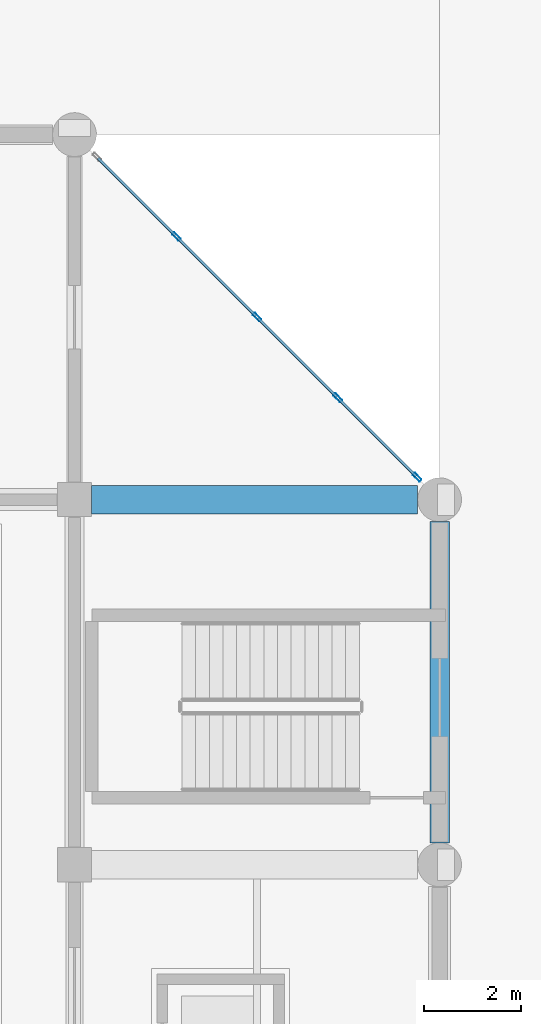
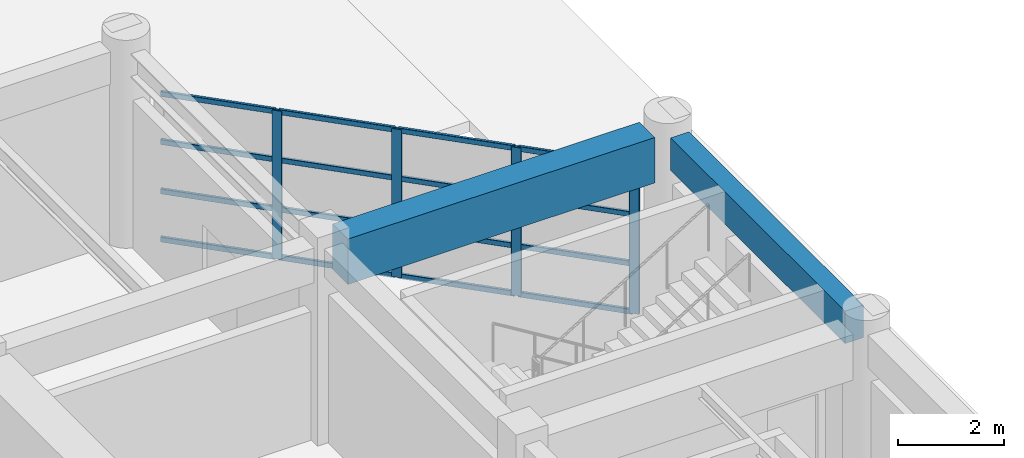
# One storey, part 59 of 122: 20 members, 2 beams, 1 element without a shape of its own.
"""IFC4 building model written with IfcOpenShell, lengths in metres."""

from ifc_helpers import new_model, si_unit, direction, frame, origin, origin_2d, place, context, subcontext, project, spatial, rectangle, hollow_rectangle, extrude, material, material_profile, profile_set, type_object, element, aggregate, save


model = new_model("IFC4")

# Units and contexts
model_context = context("Model", 3, precision=1e-05, world=origin(), true_north=direction((0.0, 1.0)))
body_context = subcontext(model_context, "Body", "Model", "MODEL_VIEW")
ifc_project = project(units=[si_unit("LENGTHUNIT", "METRE"), si_unit("AREAUNIT", "SQUARE_METRE"), si_unit("VOLUMEUNIT", "CUBIC_METRE"), si_unit("PLANEANGLEUNIT", "RADIAN"), si_unit("MASSUNIT", "GRAM", prefix="KILO")], contexts=[model_context])

# Site, building, storey
site_placement = place(None, origin())
site = spatial("IfcSite", under=ifc_project, at=site_placement, CompositionType="ELEMENT")
building_placement = place(site_placement, origin())
building = spatial("IfcBuilding", under=site, at=building_placement, Name="Qasida Concert Hall", CompositionType="ELEMENT")
storey_placement = place(building_placement, origin())
storey = spatial("IfcBuildingStorey", under=building, at=storey_placement, Name="L00", CompositionType="ELEMENT", Elevation=0.0)

# Beams
ifc_material_1 = material(Name="Concrete C50/60", Category="concrete")
ifc_material_profile_1 = material_profile(ifc_material_1, rectangle(XDim=0.580078125, YDim=1.050048828125, at=origin_2d()), Name="RC 580x1050")
ifc_profile_set_1 = profile_set([ifc_material_profile_1], Name="Concrete C50/60")
beam_type_1 = type_object("IfcBeamType", Name="BM-G8", PredefinedType="USERDEFINED", material=ifc_profile_set_1)
beam_1_placement = place(storey_placement, frame((157.85009765625, 22.5, 3.97509765625), z_axis=(1.0, 0.0, 0.0), x_axis=(0.0, 1.0, 0.0)))
element("IfcBeam", 1, at=beam_1_placement, inside=storey, type_object=beam_type_1, Name="Primary girder 0478", ObjectType="GIRDER", PredefinedType="USERDEFINED", context=body_context, shape_type="SweptSolid", body=[
    extrude(rectangle(XDim=0.580078125, YDim=1.050048828125, at=origin_2d()), origin(), (0.0, 0.0, 1.0), 6.699951171875),
])
ifc_material_2 = material(Name="Concrete C40/50", Category="concrete")
ifc_material_profile_2 = material_profile(ifc_material_2, rectangle(XDim=0.39990234375, YDim=0.75, at=origin_2d()), Name="RC 400x750")
ifc_profile_set_2 = profile_set([ifc_material_profile_2], Name="Concrete C40/50")
beam_type_2 = type_object("IfcBeamType", Name="BM-SP1", PredefinedType="SPANDREL", material=ifc_profile_set_2)
beam_2_placement = place(storey_placement, frame((165.0, 15.449951171875, 4.125), z_axis=(0.0, 1.0, 0.0), x_axis=(-1.0, 0.0, 0.0)))
element("IfcBeam", 2, at=beam_2_placement, inside=storey, type_object=beam_type_2, Name="L00 girder 0499", PredefinedType="SPANDREL", context=body_context, shape_type="SweptSolid", body=[
    extrude(rectangle(XDim=0.39990234375, YDim=0.75, at=origin_2d()), origin(), (0.0, 0.0, 1.0), 6.60009765625),
])

# Curtain wall, members
ifc_material_3 = material(Name="Architectural bronze-anodized aluminium and low-E glass", Category="aluminium")
curtain_wall_type = type_object("IfcCurtainWallType", Name="CW-07", PredefinedType="NOTDEFINED", material=ifc_material_3)
curtain_wall_placement = place(storey_placement, origin())
curtain_wall = element("IfcCurtainWall", 3, at=curtain_wall_placement, inside=storey, type_object=curtain_wall_type, Name="L00 curtain wall CW-07 0140", PredefinedType="NOTDEFINED")
ifc_material_4 = material(Name="Architectural bronze-anodized aluminium EN AW-6063", Category="aluminium")
ifc_material_profile_3 = material_profile(ifc_material_4, hollow_rectangle(XDim=0.06494140625, YDim=0.199951171875, WallThickness=0.0048828125, InnerFilletRadius=0.0048828125, OuterFilletRadius=0.010009765625, at=origin_2d()), Name="CWM 200x65x5")
ifc_profile_set_3 = profile_set([ifc_material_profile_3], Name="Architectural bronze-anodized aluminium EN AW-6063")
member_type_1 = type_object("IfcMemberType", Name="MB-CWM-2", PredefinedType="MULLION", material=ifc_profile_set_3)
member_1_placement = place(storey_placement, frame((164.53857421875, 22.96142578125, 0.0), z_axis=(0.0, 0.0, 1.0), x_axis=(-0.707106781187, -0.707106781187, 0.0)))
member_1 = element("IfcMember", 4, at=member_1_placement, type_object=member_type_1, Name="CW-07 mullion 1", PredefinedType="MULLION", context=body_context, shape_type="SweptSolid", body=[
    extrude(hollow_rectangle(XDim=0.06494140625, YDim=0.199951171875, WallThickness=0.0048828125, InnerFilletRadius=0.0048828125, OuterFilletRadius=0.010009765625, at=origin_2d()), origin(), (0.0, 0.0, 1.0), 3.419921875),
])
member_2_placement = place(storey_placement, frame((162.90576171875, 24.59423828125, 0.0), z_axis=(0.0, 0.0, 1.0), x_axis=(-0.707106781187, -0.707106781187, 0.0)))
member_2 = element("IfcMember", 5, at=member_2_placement, type_object=member_type_1, Name="CW-07 mullion 2", PredefinedType="MULLION", context=body_context, shape_type="SweptSolid", body=[
    extrude(hollow_rectangle(XDim=0.06494140625, YDim=0.199951171875, WallThickness=0.0048828125, InnerFilletRadius=0.0048828125, OuterFilletRadius=0.010009765625, at=origin_2d()), origin(), (0.0, 0.0, 1.0), 3.419921875),
])
member_3_placement = place(storey_placement, frame((161.25, 26.25, 0.0), z_axis=(0.0, 0.0, 1.0), x_axis=(-0.707106781187, -0.707106781187, 0.0)))
member_3 = element("IfcMember", 6, at=member_3_placement, type_object=member_type_1, Name="CW-07 mullion 3", PredefinedType="MULLION", context=body_context, shape_type="SweptSolid", body=[
    extrude(hollow_rectangle(XDim=0.06494140625, YDim=0.199951171875, WallThickness=0.0048828125, InnerFilletRadius=0.0048828125, OuterFilletRadius=0.010009765625, at=origin_2d()), origin(), (0.0, 0.0, 1.0), 3.419921875),
])
member_4_placement = place(storey_placement, frame((159.59423828125, 27.90576171875, 0.0), z_axis=(0.0, 0.0, 1.0), x_axis=(-0.707106781187, -0.707106781187, 0.0)))
member_4 = element("IfcMember", 7, at=member_4_placement, type_object=member_type_1, Name="CW-07 mullion 4", PredefinedType="MULLION", context=body_context, shape_type="SweptSolid", body=[
    extrude(hollow_rectangle(XDim=0.06494140625, YDim=0.199951171875, WallThickness=0.0048828125, InnerFilletRadius=0.0048828125, OuterFilletRadius=0.010009765625, at=origin_2d()), origin(), (0.0, 0.0, 1.0), 3.419921875),
])
ifc_material_profile_4 = material_profile(ifc_material_4, hollow_rectangle(XDim=0.06005859375, YDim=0.1201171875, WallThickness=0.00390625, InnerFilletRadius=0.00390625, OuterFilletRadius=0.008056640625, at=origin_2d()), Name="CWT 120x60x4")
ifc_profile_set_4 = profile_set([ifc_material_profile_4], Name="Architectural bronze-anodized aluminium EN AW-6063")
member_type_2 = type_object("IfcMemberType", Name="MB-CWT-2", PredefinedType="USERDEFINED", material=ifc_profile_set_4)
member_5_placement = place(storey_placement, frame((164.515625, 22.984375, 0.030029296875), z_axis=(-0.707106781187, 0.707106781187, 0.0), x_axis=(-0.707106781187, -0.707106781187, 0.0)))
member_5 = element("IfcMember", 8, at=member_5_placement, type_object=member_type_2, Name="CW-07 transom 1.1", ObjectType="TRANSOM", PredefinedType="USERDEFINED", context=body_context, shape_type="SweptSolid", body=[
    extrude(hollow_rectangle(XDim=0.06005859375, YDim=0.1201171875, WallThickness=0.00390625, InnerFilletRadius=0.00390625, OuterFilletRadius=0.008056640625, at=origin_2d()), origin(), (0.0, 0.0, 1.0), 2.244140625),
])
member_6_placement = place(storey_placement, frame((164.515625, 22.984375, 1.139892578125), z_axis=(-0.707106781187, 0.707106781187, 0.0), x_axis=(-0.707106781187, -0.707106781187, 0.0)))
member_6 = element("IfcMember", 9, at=member_6_placement, type_object=member_type_2, Name="CW-07 transom 1.2", ObjectType="TRANSOM", PredefinedType="USERDEFINED", context=body_context, shape_type="SweptSolid", body=[
    extrude(hollow_rectangle(XDim=0.06005859375, YDim=0.1201171875, WallThickness=0.00390625, InnerFilletRadius=0.00390625, OuterFilletRadius=0.008056640625, at=origin_2d()), origin(), (0.0, 0.0, 1.0), 2.244140625),
])
member_7_placement = place(storey_placement, frame((164.515625, 22.984375, 2.280029296875), z_axis=(-0.707106781187, 0.707106781187, 0.0), x_axis=(-0.707106781187, -0.707106781187, 0.0)))
member_7 = element("IfcMember", 10, at=member_7_placement, type_object=member_type_2, Name="CW-07 transom 1.3", ObjectType="TRANSOM", PredefinedType="USERDEFINED", context=body_context, shape_type="SweptSolid", body=[
    extrude(hollow_rectangle(XDim=0.06005859375, YDim=0.1201171875, WallThickness=0.00390625, InnerFilletRadius=0.00390625, OuterFilletRadius=0.008056640625, at=origin_2d()), origin(), (0.0, 0.0, 1.0), 2.244140625),
])
member_8_placement = place(storey_placement, frame((164.515625, 22.984375, 3.389892578125), z_axis=(-0.707106781187, 0.707106781187, 0.0), x_axis=(-0.707106781187, -0.707106781187, 0.0)))
member_8 = element("IfcMember", 11, at=member_8_placement, type_object=member_type_2, Name="CW-07 transom 1.4", ObjectType="TRANSOM", PredefinedType="USERDEFINED", context=body_context, shape_type="SweptSolid", body=[
    extrude(hollow_rectangle(XDim=0.06005859375, YDim=0.1201171875, WallThickness=0.00390625, InnerFilletRadius=0.00390625, OuterFilletRadius=0.008056640625, at=origin_2d()), origin(), (0.0, 0.0, 1.0), 2.244140625),
])
member_9_placement = place(storey_placement, frame((162.8828125, 24.6171875, 0.030029296875), z_axis=(-0.707106781187, 0.707106781187, 0.0), x_axis=(-0.707106781187, -0.707106781187, 0.0)))
member_9 = element("IfcMember", 12, at=member_9_placement, type_object=member_type_2, Name="CW-07 transom 2.1", ObjectType="TRANSOM", PredefinedType="USERDEFINED", context=body_context, shape_type="SweptSolid", body=[
    extrude(hollow_rectangle(XDim=0.06005859375, YDim=0.1201171875, WallThickness=0.00390625, InnerFilletRadius=0.00390625, OuterFilletRadius=0.008056640625, at=origin_2d()), origin(), (0.0, 0.0, 1.0), 2.276611328125),
])
member_10_placement = place(storey_placement, frame((162.8828125, 24.6171875, 1.139892578125), z_axis=(-0.707106781187, 0.707106781187, 0.0), x_axis=(-0.707106781187, -0.707106781187, 0.0)))
member_10 = element("IfcMember", 13, at=member_10_placement, type_object=member_type_2, Name="CW-07 transom 2.2", ObjectType="TRANSOM", PredefinedType="USERDEFINED", context=body_context, shape_type="SweptSolid", body=[
    extrude(hollow_rectangle(XDim=0.06005859375, YDim=0.1201171875, WallThickness=0.00390625, InnerFilletRadius=0.00390625, OuterFilletRadius=0.008056640625, at=origin_2d()), origin(), (0.0, 0.0, 1.0), 2.276611328125),
])
member_11_placement = place(storey_placement, frame((162.8828125, 24.6171875, 2.280029296875), z_axis=(-0.707106781187, 0.707106781187, 0.0), x_axis=(-0.707106781187, -0.707106781187, 0.0)))
member_11 = element("IfcMember", 14, at=member_11_placement, type_object=member_type_2, Name="CW-07 transom 2.3", ObjectType="TRANSOM", PredefinedType="USERDEFINED", context=body_context, shape_type="SweptSolid", body=[
    extrude(hollow_rectangle(XDim=0.06005859375, YDim=0.1201171875, WallThickness=0.00390625, InnerFilletRadius=0.00390625, OuterFilletRadius=0.008056640625, at=origin_2d()), origin(), (0.0, 0.0, 1.0), 2.276611328125),
])
member_12_placement = place(storey_placement, frame((162.8828125, 24.6171875, 3.389892578125), z_axis=(-0.707106781187, 0.707106781187, 0.0), x_axis=(-0.707106781187, -0.707106781187, 0.0)))
member_12 = element("IfcMember", 15, at=member_12_placement, type_object=member_type_2, Name="CW-07 transom 2.4", ObjectType="TRANSOM", PredefinedType="USERDEFINED", context=body_context, shape_type="SweptSolid", body=[
    extrude(hollow_rectangle(XDim=0.06005859375, YDim=0.1201171875, WallThickness=0.00390625, InnerFilletRadius=0.00390625, OuterFilletRadius=0.008056640625, at=origin_2d()), origin(), (0.0, 0.0, 1.0), 2.276611328125),
])
member_13_placement = place(storey_placement, frame((161.22705078125, 26.27294921875, 0.030029296875), z_axis=(-0.707106781187, 0.707106781187, 0.0), x_axis=(-0.707106781187, -0.707106781187, 0.0)))
member_13 = element("IfcMember", 16, at=member_13_placement, type_object=member_type_2, Name="CW-07 transom 3.1", ObjectType="TRANSOM", PredefinedType="USERDEFINED", context=body_context, shape_type="SweptSolid", body=[
    extrude(hollow_rectangle(XDim=0.06005859375, YDim=0.1201171875, WallThickness=0.00390625, InnerFilletRadius=0.00390625, OuterFilletRadius=0.008056640625, at=origin_2d()), origin(), (0.0, 0.0, 1.0), 2.276611328125),
])
member_14_placement = place(storey_placement, frame((161.22705078125, 26.27294921875, 1.139892578125), z_axis=(-0.707106781187, 0.707106781187, 0.0), x_axis=(-0.707106781187, -0.707106781187, 0.0)))
member_14 = element("IfcMember", 17, at=member_14_placement, type_object=member_type_2, Name="CW-07 transom 3.2", ObjectType="TRANSOM", PredefinedType="USERDEFINED", context=body_context, shape_type="SweptSolid", body=[
    extrude(hollow_rectangle(XDim=0.06005859375, YDim=0.1201171875, WallThickness=0.00390625, InnerFilletRadius=0.00390625, OuterFilletRadius=0.008056640625, at=origin_2d()), origin(), (0.0, 0.0, 1.0), 2.276611328125),
])
member_15_placement = place(storey_placement, frame((161.22705078125, 26.27294921875, 2.280029296875), z_axis=(-0.707106781187, 0.707106781187, 0.0), x_axis=(-0.707106781187, -0.707106781187, 0.0)))
member_15 = element("IfcMember", 18, at=member_15_placement, type_object=member_type_2, Name="CW-07 transom 3.3", ObjectType="TRANSOM", PredefinedType="USERDEFINED", context=body_context, shape_type="SweptSolid", body=[
    extrude(hollow_rectangle(XDim=0.06005859375, YDim=0.1201171875, WallThickness=0.00390625, InnerFilletRadius=0.00390625, OuterFilletRadius=0.008056640625, at=origin_2d()), origin(), (0.0, 0.0, 1.0), 2.276611328125),
])
member_16_placement = place(storey_placement, frame((161.22705078125, 26.27294921875, 3.389892578125), z_axis=(-0.707106781187, 0.707106781187, 0.0), x_axis=(-0.707106781187, -0.707106781187, 0.0)))
member_16 = element("IfcMember", 19, at=member_16_placement, type_object=member_type_2, Name="CW-07 transom 3.4", ObjectType="TRANSOM", PredefinedType="USERDEFINED", context=body_context, shape_type="SweptSolid", body=[
    extrude(hollow_rectangle(XDim=0.06005859375, YDim=0.1201171875, WallThickness=0.00390625, InnerFilletRadius=0.00390625, OuterFilletRadius=0.008056640625, at=origin_2d()), origin(), (0.0, 0.0, 1.0), 2.276611328125),
])
member_17_placement = place(storey_placement, frame((159.5712890625, 27.9287109375, 0.030029296875), z_axis=(-0.707106781187, 0.707106781187, 0.0), x_axis=(-0.707106781187, -0.707106781187, 0.0)))
member_17 = element("IfcMember", 20, at=member_17_placement, type_object=member_type_2, Name="CW-07 transom 4.1", ObjectType="TRANSOM", PredefinedType="USERDEFINED", context=body_context, shape_type="SweptSolid", body=[
    extrude(hollow_rectangle(XDim=0.06005859375, YDim=0.1201171875, WallThickness=0.00390625, InnerFilletRadius=0.00390625, OuterFilletRadius=0.008056640625, at=origin_2d()), origin(), (0.0, 0.0, 1.0), 2.244140625),
])
member_18_placement = place(storey_placement, frame((159.5712890625, 27.9287109375, 1.139892578125), z_axis=(-0.707106781187, 0.707106781187, 0.0), x_axis=(-0.707106781187, -0.707106781187, 0.0)))
member_18 = element("IfcMember", 21, at=member_18_placement, type_object=member_type_2, Name="CW-07 transom 4.2", ObjectType="TRANSOM", PredefinedType="USERDEFINED", context=body_context, shape_type="SweptSolid", body=[
    extrude(hollow_rectangle(XDim=0.06005859375, YDim=0.1201171875, WallThickness=0.00390625, InnerFilletRadius=0.00390625, OuterFilletRadius=0.008056640625, at=origin_2d()), origin(), (0.0, 0.0, 1.0), 2.244140625),
])
member_19_placement = place(storey_placement, frame((159.5712890625, 27.9287109375, 2.280029296875), z_axis=(-0.707106781187, 0.707106781187, 0.0), x_axis=(-0.707106781187, -0.707106781187, 0.0)))
member_19 = element("IfcMember", 22, at=member_19_placement, type_object=member_type_2, Name="CW-07 transom 4.3", ObjectType="TRANSOM", PredefinedType="USERDEFINED", context=body_context, shape_type="SweptSolid", body=[
    extrude(hollow_rectangle(XDim=0.06005859375, YDim=0.1201171875, WallThickness=0.00390625, InnerFilletRadius=0.00390625, OuterFilletRadius=0.008056640625, at=origin_2d()), origin(), (0.0, 0.0, 1.0), 2.244140625),
])
member_20_placement = place(storey_placement, frame((159.5712890625, 27.9287109375, 3.389892578125), z_axis=(-0.707106781187, 0.707106781187, 0.0), x_axis=(-0.707106781187, -0.707106781187, 0.0)))
member_20 = element("IfcMember", 23, at=member_20_placement, type_object=member_type_2, Name="CW-07 transom 4.4", ObjectType="TRANSOM", PredefinedType="USERDEFINED", context=body_context, shape_type="SweptSolid", body=[
    extrude(hollow_rectangle(XDim=0.06005859375, YDim=0.1201171875, WallThickness=0.00390625, InnerFilletRadius=0.00390625, OuterFilletRadius=0.008056640625, at=origin_2d()), origin(), (0.0, 0.0, 1.0), 2.244140625),
])
aggregate(curtain_wall, [member_1, member_2, member_3, member_4, member_5, member_6, member_7, member_8, member_9, member_10, member_11, member_12, member_13, member_14, member_15, member_16, member_17, member_18, member_19, member_20])

save(model, "model.ifc")
